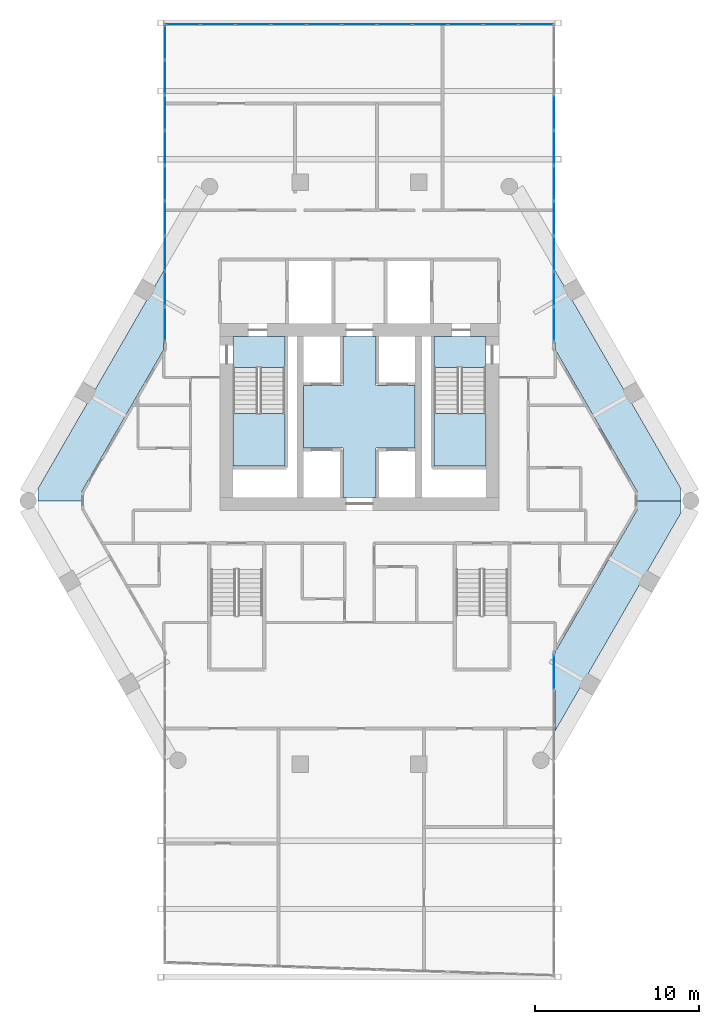
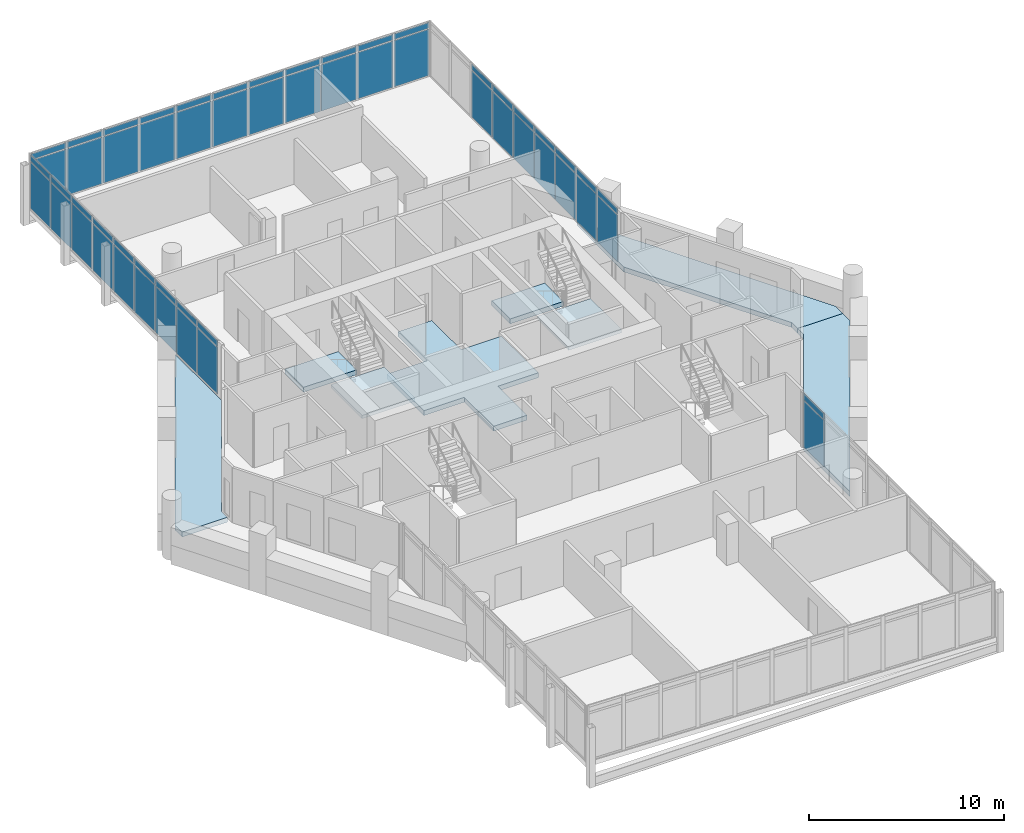
# One storey, part 23 of 29: 56 plates, 8 slabs, 6 elements without a shape of their own.
"""IFC4 building model written with IfcOpenShell, lengths in metres."""

from ifc_helpers import new_model, si_unit, direction, frame, origin, origin_2d, place, context, subcontext, project, spatial, polyline, rectangle, outline, extrude, material, layer, layer_set, type_object, element, aggregate, save


model = new_model("IFC4")

# Units and contexts
model_context = context("Model", 3, precision=1e-05, world=origin(), true_north=direction((0.0, 1.0)))
body_context = subcontext(model_context, "Body", "Model", "MODEL_VIEW")
ifc_project = project(units=[si_unit("LENGTHUNIT", "METRE"), si_unit("AREAUNIT", "SQUARE_METRE"), si_unit("VOLUMEUNIT", "CUBIC_METRE"), si_unit("PLANEANGLEUNIT", "RADIAN"), si_unit("MASSUNIT", "GRAM", prefix="KILO")], contexts=[model_context])

# Site, building, storey
site_placement = place(None, origin())
site = spatial("IfcSite", under=ifc_project, at=site_placement, CompositionType="ELEMENT")
building_placement = place(site_placement, origin())
building = spatial("IfcBuilding", under=site, at=building_placement, Name="Ostrander Bayou Hotel Tower", CompositionType="ELEMENT")
storey_placement = place(building_placement, frame((0.0, 0.0, 202.0)))
storey = spatial("IfcBuildingStorey", under=building, at=storey_placement, Name="L50", CompositionType="ELEMENT", Elevation=202.0)

# Curtain wall, plates
ifc_material_1 = material(Name="Aluminium and clear glass", Category="aluminium")
curtain_wall_type = type_object("IfcCurtainWallType", Name="CW-BAR glazed wall", PredefinedType="NOTDEFINED", material=ifc_material_1)
curtain_wall_1_placement = place(storey_placement, origin())
curtain_wall_1 = element("IfcCurtainWall", 1, at=curtain_wall_1_placement, inside=storey, type_object=curtain_wall_type, Name="CW-BAR L50:SB4S:W", PredefinedType="NOTDEFINED")
ifc_material_2 = material(Name="Clear laminated glass", Category="glass")
ifc_layer_1 = layer(ifc_material_2, 0.028076171875)
ifc_layer_set_1 = layer_set([ifc_layer_1], Name="CW-BR glazing panel 28 mm")
plate_type = type_object("IfcPlateType", Name="CW-BR glazing panel 28 mm", PredefinedType="CURTAIN_PANEL", material=ifc_layer_set_1)
plate_1_placement = place(storey_placement, frame((11.857177734375, -11.565673828125, 0.06005859375), z_axis=(0.0, 0.0, 1.0), x_axis=(0.0, -1.0, 0.0)))
plate_1 = element("IfcPlate", 2, at=plate_1_placement, type_object=plate_type, Name="CW-BAR panel 1.1", PredefinedType="CURTAIN_PANEL", context=body_context, shape_type="SweptSolid", body=[
    extrude(rectangle(XDim=2.086181640625, YDim=0.028076171875, at=origin_2d()), origin(), (0.0, 0.0, 1.0), 2.909912109375),
])
plate_2_placement = place(storey_placement, frame((11.857177734375, -11.565673828125, 3.02978515625), z_axis=(0.0, 0.0, 1.0), x_axis=(0.0, -1.0, 0.0)))
plate_2 = element("IfcPlate", 3, at=plate_2_placement, type_object=plate_type, Name="CW-BAR panel 1.2", PredefinedType="CURTAIN_PANEL", context=body_context, shape_type="SweptSolid", body=[
    extrude(rectangle(XDim=2.086181640625, YDim=0.028076171875, at=origin_2d()), origin(), (0.0, 0.0, 1.0), 0.360107421875),
])
aggregate(curtain_wall_1, [plate_1, plate_2])

curtain_wall_2_placement = place(storey_placement, origin())
curtain_wall_2 = element("IfcCurtainWall", 4, at=curtain_wall_2_placement, inside=storey, type_object=curtain_wall_type, Name="CW-BAR L50:SB4N:E", PredefinedType="NOTDEFINED")
plate_3_placement = place(storey_placement, frame((-11.857177734375, 9.654541015625, 0.06005859375), z_axis=(0.0, 0.0, 1.0), x_axis=(0.0, 1.0, 0.0)))
plate_3 = element("IfcPlate", 5, at=plate_3_placement, type_object=plate_type, Name="CW-BAR panel 1.1", PredefinedType="CURTAIN_PANEL", context=body_context, shape_type="SweptSolid", body=[
    extrude(rectangle(XDim=2.060302734375, YDim=0.028076171875, at=origin_2d()), origin(), (0.0, 0.0, 1.0), 2.909912109375),
])
plate_4_placement = place(storey_placement, frame((-11.857177734375, 9.654541015625, 3.02978515625), z_axis=(0.0, 0.0, 1.0), x_axis=(0.0, 1.0, 0.0)))
plate_4 = element("IfcPlate", 6, at=plate_4_placement, type_object=plate_type, Name="CW-BAR panel 1.2", PredefinedType="CURTAIN_PANEL", context=body_context, shape_type="SweptSolid", body=[
    extrude(rectangle(XDim=2.060302734375, YDim=0.028076171875, at=origin_2d()), origin(), (0.0, 0.0, 1.0), 0.360107421875),
])
plate_5_placement = place(storey_placement, frame((-11.857177734375, 11.789794921875, 0.06005859375), z_axis=(0.0, 0.0, 1.0), x_axis=(0.0, 1.0, 0.0)))
plate_5 = element("IfcPlate", 7, at=plate_5_placement, type_object=plate_type, Name="CW-BAR panel 2.1", PredefinedType="CURTAIN_PANEL", context=body_context, shape_type="SweptSolid", body=[
    extrude(rectangle(XDim=2.090087890625, YDim=0.028076171875, at=origin_2d()), origin(), (0.0, 0.0, 1.0), 2.909912109375),
])
plate_6_placement = place(storey_placement, frame((-11.857177734375, 11.789794921875, 3.02978515625), z_axis=(0.0, 0.0, 1.0), x_axis=(0.0, 1.0, 0.0)))
plate_6 = element("IfcPlate", 8, at=plate_6_placement, type_object=plate_type, Name="CW-BAR panel 2.2", PredefinedType="CURTAIN_PANEL", context=body_context, shape_type="SweptSolid", body=[
    extrude(rectangle(XDim=2.090087890625, YDim=0.028076171875, at=origin_2d()), origin(), (0.0, 0.0, 1.0), 0.360107421875),
])
plate_7_placement = place(storey_placement, frame((-11.857177734375, 13.93994140625, 0.06005859375), z_axis=(0.0, 0.0, 1.0), x_axis=(0.0, 1.0, 0.0)))
plate_7 = element("IfcPlate", 9, at=plate_7_placement, type_object=plate_type, Name="CW-BAR panel 3.1", PredefinedType="CURTAIN_PANEL", context=body_context, shape_type="SweptSolid", body=[
    extrude(rectangle(XDim=2.090087890625, YDim=0.028076171875, at=origin_2d()), origin(), (0.0, 0.0, 1.0), 2.909912109375),
])
plate_8_placement = place(storey_placement, frame((-11.857177734375, 13.93994140625, 3.02978515625), z_axis=(0.0, 0.0, 1.0), x_axis=(0.0, 1.0, 0.0)))
plate_8 = element("IfcPlate", 10, at=plate_8_placement, type_object=plate_type, Name="CW-BAR panel 3.2", PredefinedType="CURTAIN_PANEL", context=body_context, shape_type="SweptSolid", body=[
    extrude(rectangle(XDim=2.090087890625, YDim=0.028076171875, at=origin_2d()), origin(), (0.0, 0.0, 1.0), 0.360107421875),
])
plate_9_placement = place(storey_placement, frame((-11.857177734375, 16.090087890625, 0.06005859375), z_axis=(0.0, 0.0, 1.0), x_axis=(0.0, 1.0, 0.0)))
plate_9 = element("IfcPlate", 11, at=plate_9_placement, type_object=plate_type, Name="CW-BAR panel 4.1", PredefinedType="CURTAIN_PANEL", context=body_context, shape_type="SweptSolid", body=[
    extrude(rectangle(XDim=2.090087890625, YDim=0.028076171875, at=origin_2d()), origin(), (0.0, 0.0, 1.0), 2.909912109375),
])
plate_10_placement = place(storey_placement, frame((-11.857177734375, 16.090087890625, 3.02978515625), z_axis=(0.0, 0.0, 1.0), x_axis=(0.0, 1.0, 0.0)))
plate_10 = element("IfcPlate", 12, at=plate_10_placement, type_object=plate_type, Name="CW-BAR panel 4.2", PredefinedType="CURTAIN_PANEL", context=body_context, shape_type="SweptSolid", body=[
    extrude(rectangle(XDim=2.090087890625, YDim=0.028076171875, at=origin_2d()), origin(), (0.0, 0.0, 1.0), 0.360107421875),
])
plate_11_placement = place(storey_placement, frame((-11.857177734375, 18.240234375, 0.06005859375), z_axis=(0.0, 0.0, 1.0), x_axis=(0.0, 1.0, 0.0)))
plate_11 = element("IfcPlate", 13, at=plate_11_placement, type_object=plate_type, Name="CW-BAR panel 5.1", PredefinedType="CURTAIN_PANEL", context=body_context, shape_type="SweptSolid", body=[
    extrude(rectangle(XDim=2.090087890625, YDim=0.028076171875, at=origin_2d()), origin(), (0.0, 0.0, 1.0), 2.909912109375),
])
plate_12_placement = place(storey_placement, frame((-11.857177734375, 18.240234375, 3.02978515625), z_axis=(0.0, 0.0, 1.0), x_axis=(0.0, 1.0, 0.0)))
plate_12 = element("IfcPlate", 14, at=plate_12_placement, type_object=plate_type, Name="CW-BAR panel 5.2", PredefinedType="CURTAIN_PANEL", context=body_context, shape_type="SweptSolid", body=[
    extrude(rectangle(XDim=2.090087890625, YDim=0.028076171875, at=origin_2d()), origin(), (0.0, 0.0, 1.0), 0.360107421875),
])
plate_13_placement = place(storey_placement, frame((-11.857177734375, 20.390380859375, 0.06005859375), z_axis=(0.0, 0.0, 1.0), x_axis=(0.0, 1.0, 0.0)))
plate_13 = element("IfcPlate", 15, at=plate_13_placement, type_object=plate_type, Name="CW-BAR panel 6.1", PredefinedType="CURTAIN_PANEL", context=body_context, shape_type="SweptSolid", body=[
    extrude(rectangle(XDim=2.090087890625, YDim=0.028076171875, at=origin_2d()), origin(), (0.0, 0.0, 1.0), 2.909912109375),
])
plate_14_placement = place(storey_placement, frame((-11.857177734375, 20.390380859375, 3.02978515625), z_axis=(0.0, 0.0, 1.0), x_axis=(0.0, 1.0, 0.0)))
plate_14 = element("IfcPlate", 16, at=plate_14_placement, type_object=plate_type, Name="CW-BAR panel 6.2", PredefinedType="CURTAIN_PANEL", context=body_context, shape_type="SweptSolid", body=[
    extrude(rectangle(XDim=2.090087890625, YDim=0.028076171875, at=origin_2d()), origin(), (0.0, 0.0, 1.0), 0.360107421875),
])
plate_15_placement = place(storey_placement, frame((-11.857177734375, 22.54052734375, 0.06005859375), z_axis=(0.0, 0.0, 1.0), x_axis=(0.0, 1.0, 0.0)))
plate_15 = element("IfcPlate", 17, at=plate_15_placement, type_object=plate_type, Name="CW-BAR panel 7.1", PredefinedType="CURTAIN_PANEL", context=body_context, shape_type="SweptSolid", body=[
    extrude(rectangle(XDim=2.090087890625, YDim=0.028076171875, at=origin_2d()), origin(), (0.0, 0.0, 1.0), 2.909912109375),
])
plate_16_placement = place(storey_placement, frame((-11.857177734375, 22.54052734375, 3.02978515625), z_axis=(0.0, 0.0, 1.0), x_axis=(0.0, 1.0, 0.0)))
plate_16 = element("IfcPlate", 18, at=plate_16_placement, type_object=plate_type, Name="CW-BAR panel 7.2", PredefinedType="CURTAIN_PANEL", context=body_context, shape_type="SweptSolid", body=[
    extrude(rectangle(XDim=2.090087890625, YDim=0.028076171875, at=origin_2d()), origin(), (0.0, 0.0, 1.0), 0.360107421875),
])
plate_17_placement = place(storey_placement, frame((-11.857177734375, 24.69091796875, 0.06005859375), z_axis=(0.0, 0.0, 1.0), x_axis=(0.0, 1.0, 0.0)))
plate_17 = element("IfcPlate", 19, at=plate_17_placement, type_object=plate_type, Name="CW-BAR panel 8.1", PredefinedType="CURTAIN_PANEL", context=body_context, shape_type="SweptSolid", body=[
    extrude(rectangle(XDim=2.090087890625, YDim=0.028076171875, at=origin_2d()), origin(), (0.0, 0.0, 1.0), 2.909912109375),
])
plate_18_placement = place(storey_placement, frame((-11.857177734375, 24.69091796875, 3.02978515625), z_axis=(0.0, 0.0, 1.0), x_axis=(0.0, 1.0, 0.0)))
plate_18 = element("IfcPlate", 20, at=plate_18_placement, type_object=plate_type, Name="CW-BAR panel 8.2", PredefinedType="CURTAIN_PANEL", context=body_context, shape_type="SweptSolid", body=[
    extrude(rectangle(XDim=2.090087890625, YDim=0.028076171875, at=origin_2d()), origin(), (0.0, 0.0, 1.0), 0.360107421875),
])
plate_19_placement = place(storey_placement, frame((-11.857177734375, 26.825927734375, 0.06005859375), z_axis=(0.0, 0.0, 1.0), x_axis=(0.0, 1.0, 0.0)))
plate_19 = element("IfcPlate", 21, at=plate_19_placement, type_object=plate_type, Name="CW-BAR panel 9.1", PredefinedType="CURTAIN_PANEL", context=body_context, shape_type="SweptSolid", body=[
    extrude(rectangle(XDim=2.060302734375, YDim=0.028076171875, at=origin_2d()), origin(), (0.0, 0.0, 1.0), 2.909912109375),
])
plate_20_placement = place(storey_placement, frame((-11.857177734375, 26.825927734375, 3.02978515625), z_axis=(0.0, 0.0, 1.0), x_axis=(0.0, 1.0, 0.0)))
plate_20 = element("IfcPlate", 22, at=plate_20_placement, type_object=plate_type, Name="CW-BAR panel 9.2", PredefinedType="CURTAIN_PANEL", context=body_context, shape_type="SweptSolid", body=[
    extrude(rectangle(XDim=2.060302734375, YDim=0.028076171875, at=origin_2d()), origin(), (0.0, 0.0, 1.0), 0.360107421875),
])
aggregate(curtain_wall_2, [plate_3, plate_4, plate_5, plate_6, plate_7, plate_8, plate_9, plate_10, plate_11, plate_12, plate_13, plate_14, plate_15, plate_16, plate_17, plate_18, plate_19, plate_20])

curtain_wall_3_placement = place(storey_placement, origin())
curtain_wall_3 = element("IfcCurtainWall", 23, at=curtain_wall_3_placement, inside=storey, type_object=curtain_wall_type, Name="CW-BAR L50:SB4N:T", PredefinedType="NOTDEFINED")
plate_21_placement = place(storey_placement, frame((-10.76416015625, 27.916015625, 0.06005859375), z_axis=(0.0, 0.0, 1.0), x_axis=(1.0, 0.0, 0.0)))
plate_21 = element("IfcPlate", 24, at=plate_21_placement, type_object=plate_type, Name="CW-BAR panel 1.1", PredefinedType="CURTAIN_PANEL", context=body_context, shape_type="SweptSolid", body=[
    extrude(rectangle(XDim=2.06591796875, YDim=0.028076171875, at=origin_2d()), origin(), (0.0, 0.0, 1.0), 2.909912109375),
])
plate_22_placement = place(storey_placement, frame((-10.76416015625, 27.916015625, 3.02978515625), z_axis=(0.0, 0.0, 1.0), x_axis=(1.0, 0.0, 0.0)))
plate_22 = element("IfcPlate", 25, at=plate_22_placement, type_object=plate_type, Name="CW-BAR panel 1.2", PredefinedType="CURTAIN_PANEL", context=body_context, shape_type="SweptSolid", body=[
    extrude(rectangle(XDim=2.06591796875, YDim=0.028076171875, at=origin_2d()), origin(), (0.0, 0.0, 1.0), 0.360107421875),
])
plate_23_placement = place(storey_placement, frame((-8.62353515625, 27.916015625, 0.06005859375), z_axis=(0.0, 0.0, 1.0), x_axis=(1.0, 0.0, 0.0)))
plate_23 = element("IfcPlate", 26, at=plate_23_placement, type_object=plate_type, Name="CW-BAR panel 2.1", PredefinedType="CURTAIN_PANEL", context=body_context, shape_type="SweptSolid", body=[
    extrude(rectangle(XDim=2.095947265625, YDim=0.028076171875, at=origin_2d()), origin(), (0.0, 0.0, 1.0), 2.909912109375),
])
plate_24_placement = place(storey_placement, frame((-8.62353515625, 27.916015625, 3.02978515625), z_axis=(0.0, 0.0, 1.0), x_axis=(1.0, 0.0, 0.0)))
plate_24 = element("IfcPlate", 27, at=plate_24_placement, type_object=plate_type, Name="CW-BAR panel 2.2", PredefinedType="CURTAIN_PANEL", context=body_context, shape_type="SweptSolid", body=[
    extrude(rectangle(XDim=2.095947265625, YDim=0.028076171875, at=origin_2d()), origin(), (0.0, 0.0, 1.0), 0.360107421875),
])
plate_25_placement = place(storey_placement, frame((-6.467529296875, 27.916015625, 0.06005859375), z_axis=(0.0, 0.0, 1.0), x_axis=(1.0, 0.0, 0.0)))
plate_25 = element("IfcPlate", 28, at=plate_25_placement, type_object=plate_type, Name="CW-BAR panel 3.1", PredefinedType="CURTAIN_PANEL", context=body_context, shape_type="SweptSolid", body=[
    extrude(rectangle(XDim=2.095947265625, YDim=0.028076171875, at=origin_2d()), origin(), (0.0, 0.0, 1.0), 2.909912109375),
])
plate_26_placement = place(storey_placement, frame((-6.467529296875, 27.916015625, 3.02978515625), z_axis=(0.0, 0.0, 1.0), x_axis=(1.0, 0.0, 0.0)))
plate_26 = element("IfcPlate", 29, at=plate_26_placement, type_object=plate_type, Name="CW-BAR panel 3.2", PredefinedType="CURTAIN_PANEL", context=body_context, shape_type="SweptSolid", body=[
    extrude(rectangle(XDim=2.095947265625, YDim=0.028076171875, at=origin_2d()), origin(), (0.0, 0.0, 1.0), 0.360107421875),
])
plate_27_placement = place(storey_placement, frame((-4.311767578125, 27.916015625, 0.06005859375), z_axis=(0.0, 0.0, 1.0), x_axis=(1.0, 0.0, 0.0)))
plate_27 = element("IfcPlate", 30, at=plate_27_placement, type_object=plate_type, Name="CW-BAR panel 4.1", PredefinedType="CURTAIN_PANEL", context=body_context, shape_type="SweptSolid", body=[
    extrude(rectangle(XDim=2.095947265625, YDim=0.028076171875, at=origin_2d()), origin(), (0.0, 0.0, 1.0), 2.909912109375),
])
plate_28_placement = place(storey_placement, frame((-4.311767578125, 27.916015625, 3.02978515625), z_axis=(0.0, 0.0, 1.0), x_axis=(1.0, 0.0, 0.0)))
plate_28 = element("IfcPlate", 31, at=plate_28_placement, type_object=plate_type, Name="CW-BAR panel 4.2", PredefinedType="CURTAIN_PANEL", context=body_context, shape_type="SweptSolid", body=[
    extrude(rectangle(XDim=2.095947265625, YDim=0.028076171875, at=origin_2d()), origin(), (0.0, 0.0, 1.0), 0.360107421875),
])
plate_29_placement = place(storey_placement, frame((-2.15576171875, 27.916015625, 0.06005859375), z_axis=(0.0, 0.0, 1.0), x_axis=(1.0, 0.0, 0.0)))
plate_29 = element("IfcPlate", 32, at=plate_29_placement, type_object=plate_type, Name="CW-BAR panel 5.1", PredefinedType="CURTAIN_PANEL", context=body_context, shape_type="SweptSolid", body=[
    extrude(rectangle(XDim=2.095947265625, YDim=0.028076171875, at=origin_2d()), origin(), (0.0, 0.0, 1.0), 2.909912109375),
])
plate_30_placement = place(storey_placement, frame((-2.15576171875, 27.916015625, 3.02978515625), z_axis=(0.0, 0.0, 1.0), x_axis=(1.0, 0.0, 0.0)))
plate_30 = element("IfcPlate", 33, at=plate_30_placement, type_object=plate_type, Name="CW-BAR panel 5.2", PredefinedType="CURTAIN_PANEL", context=body_context, shape_type="SweptSolid", body=[
    extrude(rectangle(XDim=2.095947265625, YDim=0.028076171875, at=origin_2d()), origin(), (0.0, 0.0, 1.0), 0.360107421875),
])
plate_31_placement = place(storey_placement, frame((0.0, 27.916015625, 0.06005859375), z_axis=(0.0, 0.0, 1.0), x_axis=(1.0, 0.0, 0.0)))
plate_31 = element("IfcPlate", 34, at=plate_31_placement, type_object=plate_type, Name="CW-BAR panel 6.1", PredefinedType="CURTAIN_PANEL", context=body_context, shape_type="SweptSolid", body=[
    extrude(rectangle(XDim=2.095947265625, YDim=0.028076171875, at=origin_2d()), origin(), (0.0, 0.0, 1.0), 2.909912109375),
])
plate_32_placement = place(storey_placement, frame((0.0, 27.916015625, 3.02978515625), z_axis=(0.0, 0.0, 1.0), x_axis=(1.0, 0.0, 0.0)))
plate_32 = element("IfcPlate", 35, at=plate_32_placement, type_object=plate_type, Name="CW-BAR panel 6.2", PredefinedType="CURTAIN_PANEL", context=body_context, shape_type="SweptSolid", body=[
    extrude(rectangle(XDim=2.095947265625, YDim=0.028076171875, at=origin_2d()), origin(), (0.0, 0.0, 1.0), 0.360107421875),
])
plate_33_placement = place(storey_placement, frame((2.15576171875, 27.916015625, 0.06005859375), z_axis=(0.0, 0.0, 1.0), x_axis=(1.0, 0.0, 0.0)))
plate_33 = element("IfcPlate", 36, at=plate_33_placement, type_object=plate_type, Name="CW-BAR panel 7.1", PredefinedType="CURTAIN_PANEL", context=body_context, shape_type="SweptSolid", body=[
    extrude(rectangle(XDim=2.095947265625, YDim=0.028076171875, at=origin_2d()), origin(), (0.0, 0.0, 1.0), 2.909912109375),
])
plate_34_placement = place(storey_placement, frame((2.15576171875, 27.916015625, 3.02978515625), z_axis=(0.0, 0.0, 1.0), x_axis=(1.0, 0.0, 0.0)))
plate_34 = element("IfcPlate", 37, at=plate_34_placement, type_object=plate_type, Name="CW-BAR panel 7.2", PredefinedType="CURTAIN_PANEL", context=body_context, shape_type="SweptSolid", body=[
    extrude(rectangle(XDim=2.095947265625, YDim=0.028076171875, at=origin_2d()), origin(), (0.0, 0.0, 1.0), 0.360107421875),
])
plate_35_placement = place(storey_placement, frame((4.311767578125, 27.916015625, 0.06005859375), z_axis=(0.0, 0.0, 1.0), x_axis=(1.0, 0.0, 0.0)))
plate_35 = element("IfcPlate", 38, at=plate_35_placement, type_object=plate_type, Name="CW-BAR panel 8.1", PredefinedType="CURTAIN_PANEL", context=body_context, shape_type="SweptSolid", body=[
    extrude(rectangle(XDim=2.095947265625, YDim=0.028076171875, at=origin_2d()), origin(), (0.0, 0.0, 1.0), 2.909912109375),
])
plate_36_placement = place(storey_placement, frame((4.311767578125, 27.916015625, 3.02978515625), z_axis=(0.0, 0.0, 1.0), x_axis=(1.0, 0.0, 0.0)))
plate_36 = element("IfcPlate", 39, at=plate_36_placement, type_object=plate_type, Name="CW-BAR panel 8.2", PredefinedType="CURTAIN_PANEL", context=body_context, shape_type="SweptSolid", body=[
    extrude(rectangle(XDim=2.095947265625, YDim=0.028076171875, at=origin_2d()), origin(), (0.0, 0.0, 1.0), 0.360107421875),
])
plate_37_placement = place(storey_placement, frame((6.467529296875, 27.916015625, 0.06005859375), z_axis=(0.0, 0.0, 1.0), x_axis=(1.0, 0.0, 0.0)))
plate_37 = element("IfcPlate", 40, at=plate_37_placement, type_object=plate_type, Name="CW-BAR panel 9.1", PredefinedType="CURTAIN_PANEL", context=body_context, shape_type="SweptSolid", body=[
    extrude(rectangle(XDim=2.095947265625, YDim=0.028076171875, at=origin_2d()), origin(), (0.0, 0.0, 1.0), 2.909912109375),
])
plate_38_placement = place(storey_placement, frame((6.467529296875, 27.916015625, 3.02978515625), z_axis=(0.0, 0.0, 1.0), x_axis=(1.0, 0.0, 0.0)))
plate_38 = element("IfcPlate", 41, at=plate_38_placement, type_object=plate_type, Name="CW-BAR panel 9.2", PredefinedType="CURTAIN_PANEL", context=body_context, shape_type="SweptSolid", body=[
    extrude(rectangle(XDim=2.095947265625, YDim=0.028076171875, at=origin_2d()), origin(), (0.0, 0.0, 1.0), 0.360107421875),
])
plate_39_placement = place(storey_placement, frame((8.62353515625, 27.916015625, 0.06005859375), z_axis=(0.0, 0.0, 1.0), x_axis=(1.0, 0.0, 0.0)))
plate_39 = element("IfcPlate", 42, at=plate_39_placement, type_object=plate_type, Name="CW-BAR panel 10.1", PredefinedType="CURTAIN_PANEL", context=body_context, shape_type="SweptSolid", body=[
    extrude(rectangle(XDim=2.095947265625, YDim=0.028076171875, at=origin_2d()), origin(), (0.0, 0.0, 1.0), 2.909912109375),
])
plate_40_placement = place(storey_placement, frame((8.62353515625, 27.916015625, 3.02978515625), z_axis=(0.0, 0.0, 1.0), x_axis=(1.0, 0.0, 0.0)))
plate_40 = element("IfcPlate", 43, at=plate_40_placement, type_object=plate_type, Name="CW-BAR panel 10.2", PredefinedType="CURTAIN_PANEL", context=body_context, shape_type="SweptSolid", body=[
    extrude(rectangle(XDim=2.095947265625, YDim=0.028076171875, at=origin_2d()), origin(), (0.0, 0.0, 1.0), 0.360107421875),
])
plate_41_placement = place(storey_placement, frame((10.76416015625, 27.916015625, 0.06005859375), z_axis=(0.0, 0.0, 1.0), x_axis=(1.0, 0.0, 0.0)))
plate_41 = element("IfcPlate", 44, at=plate_41_placement, type_object=plate_type, Name="CW-BAR panel 11.1", PredefinedType="CURTAIN_PANEL", context=body_context, shape_type="SweptSolid", body=[
    extrude(rectangle(XDim=2.06591796875, YDim=0.028076171875, at=origin_2d()), origin(), (0.0, 0.0, 1.0), 2.909912109375),
])
plate_42_placement = place(storey_placement, frame((10.76416015625, 27.916015625, 3.02978515625), z_axis=(0.0, 0.0, 1.0), x_axis=(1.0, 0.0, 0.0)))
plate_42 = element("IfcPlate", 45, at=plate_42_placement, type_object=plate_type, Name="CW-BAR panel 11.2", PredefinedType="CURTAIN_PANEL", context=body_context, shape_type="SweptSolid", body=[
    extrude(rectangle(XDim=2.06591796875, YDim=0.028076171875, at=origin_2d()), origin(), (0.0, 0.0, 1.0), 0.360107421875),
])
aggregate(curtain_wall_3, [plate_21, plate_22, plate_23, plate_24, plate_25, plate_26, plate_27, plate_28, plate_29, plate_30, plate_31, plate_32, plate_33, plate_34, plate_35, plate_36, plate_37, plate_38, plate_39, plate_40, plate_41, plate_42])

curtain_wall_4_placement = place(storey_placement, origin())
curtain_wall_4 = element("IfcCurtainWall", 46, at=curtain_wall_4_placement, inside=storey, type_object=curtain_wall_type, Name="CW-BAR L50:SB4N:W", PredefinedType="NOTDEFINED")
plate_43_placement = place(storey_placement, frame((11.857177734375, 9.654541015625, 0.06005859375), z_axis=(0.0, 0.0, 1.0), x_axis=(0.0, 1.0, 0.0)))
plate_43 = element("IfcPlate", 47, at=plate_43_placement, type_object=plate_type, Name="CW-BAR panel 1.1", PredefinedType="CURTAIN_PANEL", context=body_context, shape_type="SweptSolid", body=[
    extrude(rectangle(XDim=2.060302734375, YDim=0.028076171875, at=origin_2d()), origin(), (0.0, 0.0, 1.0), 2.909912109375),
])
plate_44_placement = place(storey_placement, frame((11.857177734375, 9.654541015625, 3.02978515625), z_axis=(0.0, 0.0, 1.0), x_axis=(0.0, 1.0, 0.0)))
plate_44 = element("IfcPlate", 48, at=plate_44_placement, type_object=plate_type, Name="CW-BAR panel 1.2", PredefinedType="CURTAIN_PANEL", context=body_context, shape_type="SweptSolid", body=[
    extrude(rectangle(XDim=2.060302734375, YDim=0.028076171875, at=origin_2d()), origin(), (0.0, 0.0, 1.0), 0.360107421875),
])
plate_45_placement = place(storey_placement, frame((11.857177734375, 11.789794921875, 0.06005859375), z_axis=(0.0, 0.0, 1.0), x_axis=(0.0, 1.0, 0.0)))
plate_45 = element("IfcPlate", 49, at=plate_45_placement, type_object=plate_type, Name="CW-BAR panel 2.1", PredefinedType="CURTAIN_PANEL", context=body_context, shape_type="SweptSolid", body=[
    extrude(rectangle(XDim=2.090087890625, YDim=0.028076171875, at=origin_2d()), origin(), (0.0, 0.0, 1.0), 2.909912109375),
])
plate_46_placement = place(storey_placement, frame((11.857177734375, 11.789794921875, 3.02978515625), z_axis=(0.0, 0.0, 1.0), x_axis=(0.0, 1.0, 0.0)))
plate_46 = element("IfcPlate", 50, at=plate_46_placement, type_object=plate_type, Name="CW-BAR panel 2.2", PredefinedType="CURTAIN_PANEL", context=body_context, shape_type="SweptSolid", body=[
    extrude(rectangle(XDim=2.090087890625, YDim=0.028076171875, at=origin_2d()), origin(), (0.0, 0.0, 1.0), 0.360107421875),
])
plate_47_placement = place(storey_placement, frame((11.857177734375, 13.93994140625, 0.06005859375), z_axis=(0.0, 0.0, 1.0), x_axis=(0.0, 1.0, 0.0)))
plate_47 = element("IfcPlate", 51, at=plate_47_placement, type_object=plate_type, Name="CW-BAR panel 3.1", PredefinedType="CURTAIN_PANEL", context=body_context, shape_type="SweptSolid", body=[
    extrude(rectangle(XDim=2.090087890625, YDim=0.028076171875, at=origin_2d()), origin(), (0.0, 0.0, 1.0), 2.909912109375),
])
plate_48_placement = place(storey_placement, frame((11.857177734375, 13.93994140625, 3.02978515625), z_axis=(0.0, 0.0, 1.0), x_axis=(0.0, 1.0, 0.0)))
plate_48 = element("IfcPlate", 52, at=plate_48_placement, type_object=plate_type, Name="CW-BAR panel 3.2", PredefinedType="CURTAIN_PANEL", context=body_context, shape_type="SweptSolid", body=[
    extrude(rectangle(XDim=2.090087890625, YDim=0.028076171875, at=origin_2d()), origin(), (0.0, 0.0, 1.0), 0.360107421875),
])
plate_49_placement = place(storey_placement, frame((11.857177734375, 16.090087890625, 0.06005859375), z_axis=(0.0, 0.0, 1.0), x_axis=(0.0, 1.0, 0.0)))
plate_49 = element("IfcPlate", 53, at=plate_49_placement, type_object=plate_type, Name="CW-BAR panel 4.1", PredefinedType="CURTAIN_PANEL", context=body_context, shape_type="SweptSolid", body=[
    extrude(rectangle(XDim=2.090087890625, YDim=0.028076171875, at=origin_2d()), origin(), (0.0, 0.0, 1.0), 2.909912109375),
])
plate_50_placement = place(storey_placement, frame((11.857177734375, 16.090087890625, 3.02978515625), z_axis=(0.0, 0.0, 1.0), x_axis=(0.0, 1.0, 0.0)))
plate_50 = element("IfcPlate", 54, at=plate_50_placement, type_object=plate_type, Name="CW-BAR panel 4.2", PredefinedType="CURTAIN_PANEL", context=body_context, shape_type="SweptSolid", body=[
    extrude(rectangle(XDim=2.090087890625, YDim=0.028076171875, at=origin_2d()), origin(), (0.0, 0.0, 1.0), 0.360107421875),
])
plate_51_placement = place(storey_placement, frame((11.857177734375, 18.240234375, 0.06005859375), z_axis=(0.0, 0.0, 1.0), x_axis=(0.0, 1.0, 0.0)))
plate_51 = element("IfcPlate", 55, at=plate_51_placement, type_object=plate_type, Name="CW-BAR panel 5.1", PredefinedType="CURTAIN_PANEL", context=body_context, shape_type="SweptSolid", body=[
    extrude(rectangle(XDim=2.090087890625, YDim=0.028076171875, at=origin_2d()), origin(), (0.0, 0.0, 1.0), 2.909912109375),
])
plate_52_placement = place(storey_placement, frame((11.857177734375, 18.240234375, 3.02978515625), z_axis=(0.0, 0.0, 1.0), x_axis=(0.0, 1.0, 0.0)))
plate_52 = element("IfcPlate", 56, at=plate_52_placement, type_object=plate_type, Name="CW-BAR panel 5.2", PredefinedType="CURTAIN_PANEL", context=body_context, shape_type="SweptSolid", body=[
    extrude(rectangle(XDim=2.090087890625, YDim=0.028076171875, at=origin_2d()), origin(), (0.0, 0.0, 1.0), 0.360107421875),
])
plate_53_placement = place(storey_placement, frame((11.857177734375, 20.390380859375, 0.06005859375), z_axis=(0.0, 0.0, 1.0), x_axis=(0.0, 1.0, 0.0)))
plate_53 = element("IfcPlate", 57, at=plate_53_placement, type_object=plate_type, Name="CW-BAR panel 6.1", PredefinedType="CURTAIN_PANEL", context=body_context, shape_type="SweptSolid", body=[
    extrude(rectangle(XDim=2.090087890625, YDim=0.028076171875, at=origin_2d()), origin(), (0.0, 0.0, 1.0), 2.909912109375),
])
plate_54_placement = place(storey_placement, frame((11.857177734375, 20.390380859375, 3.02978515625), z_axis=(0.0, 0.0, 1.0), x_axis=(0.0, 1.0, 0.0)))
plate_54 = element("IfcPlate", 58, at=plate_54_placement, type_object=plate_type, Name="CW-BAR panel 6.2", PredefinedType="CURTAIN_PANEL", context=body_context, shape_type="SweptSolid", body=[
    extrude(rectangle(XDim=2.090087890625, YDim=0.028076171875, at=origin_2d()), origin(), (0.0, 0.0, 1.0), 0.360107421875),
])
plate_55_placement = place(storey_placement, frame((11.857177734375, 22.54052734375, 0.06005859375), z_axis=(0.0, 0.0, 1.0), x_axis=(0.0, 1.0, 0.0)))
plate_55 = element("IfcPlate", 59, at=plate_55_placement, type_object=plate_type, Name="CW-BAR panel 7.1", PredefinedType="CURTAIN_PANEL", context=body_context, shape_type="SweptSolid", body=[
    extrude(rectangle(XDim=2.090087890625, YDim=0.028076171875, at=origin_2d()), origin(), (0.0, 0.0, 1.0), 2.909912109375),
])
plate_56_placement = place(storey_placement, frame((11.857177734375, 22.54052734375, 3.02978515625), z_axis=(0.0, 0.0, 1.0), x_axis=(0.0, 1.0, 0.0)))
plate_56 = element("IfcPlate", 60, at=plate_56_placement, type_object=plate_type, Name="CW-BAR panel 7.2", PredefinedType="CURTAIN_PANEL", context=body_context, shape_type="SweptSolid", body=[
    extrude(rectangle(XDim=2.090087890625, YDim=0.028076171875, at=origin_2d()), origin(), (0.0, 0.0, 1.0), 0.360107421875),
])
aggregate(curtain_wall_4, [plate_43, plate_44, plate_45, plate_46, plate_47, plate_48, plate_49, plate_50, plate_51, plate_52, plate_53, plate_54, plate_55, plate_56])

# Slabs
ifc_material_3 = material(Name="Concrete f'c 40 MPa", Category="concrete")
ifc_layer_2 = layer(ifc_material_3, 0.300048828125)
ifc_layer_set_2 = layer_set([ifc_layer_2], Name="SL1 floor slab 300 mm f'c 40 MPa")
slab_type_1 = type_object("IfcSlabType", Name="SL1 floor slab 300 mm f'c 40 MPa", PredefinedType="FLOOR", material=ifc_layer_set_2)
slab_1_placement = place(storey_placement, frame((0.0, 0.0, -0.300048828125)))
element("IfcSlab", 61, at=slab_1_placement, inside=storey, type_object=slab_type_1, Name="cslab:L50:001", PredefinedType="FLOOR", context=body_context, shape_type="SweptSolid", body=[
    extrude(outline(polyline([(-3.39990234375, 5.89990234375), (-1.0, 5.89990234375), (-1.0, 8.89990234375), (1.0, 8.89990234375), (1.0, 5.89990234375), (3.39990234375, 5.89990234375), (3.39990234375, 2.10009765625), (1.0, 2.10009765625), (1.0, -0.89990234375), (-1.0, -0.89990234375), (-1.0, 2.10009765625), (-3.39990234375, 2.10009765625), (-3.39990234375, 5.89990234375)])), origin(), (0.0, 0.0, 1.0), 0.300048828125),
])
slab_2_placement = place(storey_placement, frame((0.0, 0.0, -0.300048828125)))
element("IfcSlab", 62, at=slab_2_placement, inside=storey, type_object=slab_type_1, Name="cslab:L50:002", PredefinedType="FLOOR", context=body_context, shape_type="SweptSolid", body=[
    extrude(outline(polyline([(-4.550048828125, 7.0), (-4.550048828125, 8.89990234375), (-7.699951171875, 8.89990234375), (-7.699951171875, 7.0), (-4.550048828125, 7.0)])), origin(), (0.0, 0.0, 1.0), 0.300048828125),
])
slab_3_placement = place(storey_placement, frame((0.0, 0.0, -0.300048828125)))
element("IfcSlab", 63, at=slab_3_placement, inside=storey, type_object=slab_type_1, Name="cslab:L50:003", PredefinedType="FLOOR", context=body_context, shape_type="SweptSolid", body=[
    extrude(outline(polyline([(7.699951171875, 7.0), (7.699951171875, 8.89990234375), (4.550048828125, 8.89990234375), (4.550048828125, 7.0), (7.699951171875, 7.0)])), origin(), (0.0, 0.0, 1.0), 0.300048828125),
])
ifc_material_4 = material(Name="Concrete f'c 40 MPa", Category="concrete")
ifc_layer_3 = layer(ifc_material_4, 0.300048828125)
ifc_layer_set_3 = layer_set([ifc_layer_3], Name="SL4 loggia slab 300 mm f'c 40 MPa")
slab_type_2 = type_object("IfcSlabType", Name="SL4 loggia slab 300 mm f'c 40 MPa", PredefinedType="FLOOR", material=ifc_layer_set_3)
slab_4_placement = place(storey_placement, frame((0.0, 0.0, -0.300048828125)))
element("IfcSlab", 64, at=slab_4_placement, inside=storey, type_object=slab_type_2, Name="SL4 LOGGIA L50 NW 1", PredefinedType="FLOOR", context=body_context, shape_type="SweptSolid", body=[
    extrude(outline(polyline([(-11.93212890625, 12.9072265625), (-11.93212890625, 8.107177734375), (-16.908935546875, -0.5126953125), (-16.908935546875, -1.11279296875), (-19.593505859375, -1.11279296875), (-19.593505859375, -0.36279296875), (-16.582275390625, 4.853271484375), (-16.1123046875, 5.667236328125), (-12.964111328125, 11.119873046875), (-12.494140625, 11.93408203125), (-11.93212890625, 12.9072265625)])), origin(), (0.0, 0.0, 1.0), 0.300048828125),
])
slab_5_placement = place(storey_placement, frame((0.0, 0.0, -0.300048828125)))
element("IfcSlab", 65, at=slab_5_placement, inside=storey, type_object=slab_type_2, Name="SL4 LOGGIA L50 SE 1", PredefinedType="FLOOR", context=body_context, shape_type="SweptSolid", body=[
    extrude(outline(polyline([(13.457763671875, -12.490478515625), (11.93212890625, -15.1328125), (11.93212890625, -10.332763671875), (16.908935546875, -1.712890625), (16.908935546875, -1.11279296875), (19.593505859375, -1.11279296875), (19.593505859375, -1.86279296875), (17.5458984375, -5.40966796875), (17.075927734375, -6.2236328125), (13.927734375, -11.67626953125), (13.457763671875, -12.490478515625)])), origin(), (0.0, 0.0, 1.0), 0.300048828125),
])
slab_6_placement = place(storey_placement, frame((0.0, 0.0, -0.300048828125)))
element("IfcSlab", 66, at=slab_6_placement, inside=storey, type_object=slab_type_2, Name="SL4 LOGGIA L50 NE 1", PredefinedType="FLOOR", context=body_context, shape_type="SweptSolid", body=[
    extrude(outline(polyline([(11.93212890625, 12.9072265625), (12.494140625, 11.93408203125), (12.964111328125, 11.119873046875), (14.66796875, 8.168701171875), (16.1123046875, 5.667236328125), (16.582275390625, 4.853271484375), (19.593505859375, -0.36279296875), (19.593505859375, -1.11279296875), (16.908935546875, -1.11279296875), (16.908935546875, -0.5126953125), (11.93212890625, 8.107177734375), (11.93212890625, 12.9072265625)])), origin(), (0.0, 0.0, 1.0), 0.300048828125),
])

# Stair, slab
ifc_material_5 = material(Name="Concrete f'c 45 MPa", Category="concrete")
stair_type = type_object("IfcStairType", Name="ST1 exit stair 1500 mm f'c 45 MPa", PredefinedType="HALF_TURN_STAIR", material=ifc_material_5)
stair_1_placement = place(storey_placement, origin())
stair_1 = element("IfcStair", 67, at=stair_1_placement, inside=storey, type_object=stair_type, Name="L50 exit stair A", PredefinedType="HALF_TURN_STAIR")
ifc_material_6 = material(Name="Concrete f'c 45 MPa", Category="concrete")
ifc_layer_4 = layer(ifc_material_6, 0.199951171875)
ifc_layer_set_4 = layer_set([ifc_layer_4], Name="SL8 stair landing 200 mm f'c 45 MPa")
slab_type_3 = type_object("IfcSlabType", Name="SL8 stair landing 200 mm f'c 45 MPa", PredefinedType="LANDING", material=ifc_layer_set_4)
slab_7_placement = place(storey_placement, frame((0.0, 0.0, 1.675048828125)))
slab_7 = element("IfcSlab", 68, at=slab_7_placement, type_object=slab_type_3, Name="STA landing 1", PredefinedType="LANDING", context=body_context, shape_type="SweptSolid", body=[
    extrude(outline(polyline([(-7.699951171875, 4.199951171875), (-7.699951171875, 1.0), (-4.550048828125, 1.0), (-4.550048828125, 4.199951171875), (-7.699951171875, 4.199951171875)])), origin(), (0.0, 0.0, 1.0), 0.199951171875),
])
aggregate(stair_1, [slab_7])

stair_2_placement = place(storey_placement, origin())
stair_2 = element("IfcStair", 69, at=stair_2_placement, inside=storey, type_object=stair_type, Name="L50 exit stair B", PredefinedType="HALF_TURN_STAIR")
slab_8_placement = place(storey_placement, frame((0.0, 0.0, 1.675048828125)))
slab_8 = element("IfcSlab", 70, at=slab_8_placement, type_object=slab_type_3, Name="STB landing 1", PredefinedType="LANDING", context=body_context, shape_type="SweptSolid", body=[
    extrude(outline(polyline([(4.550048828125, 4.199951171875), (4.550048828125, 1.0), (7.699951171875, 1.0), (7.699951171875, 4.199951171875), (4.550048828125, 4.199951171875)])), origin(), (0.0, 0.0, 1.0), 0.199951171875),
])
aggregate(stair_2, [slab_8])

save(model, "model.ifc")
